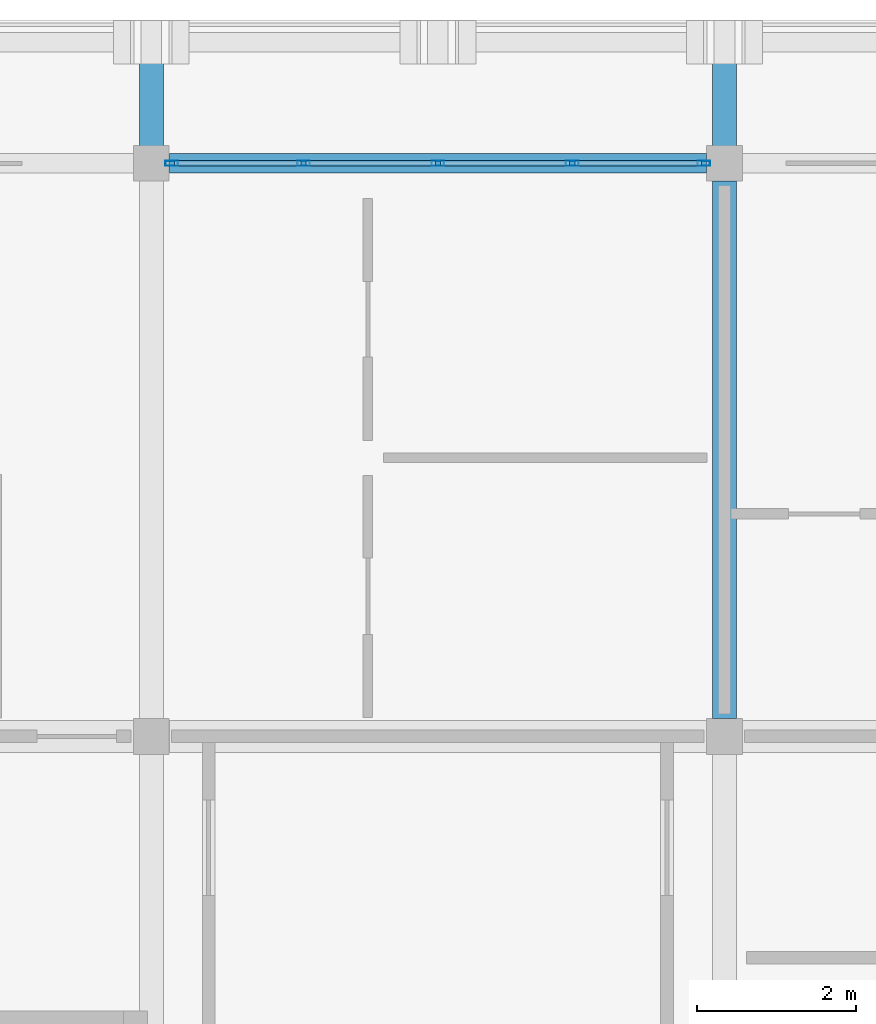
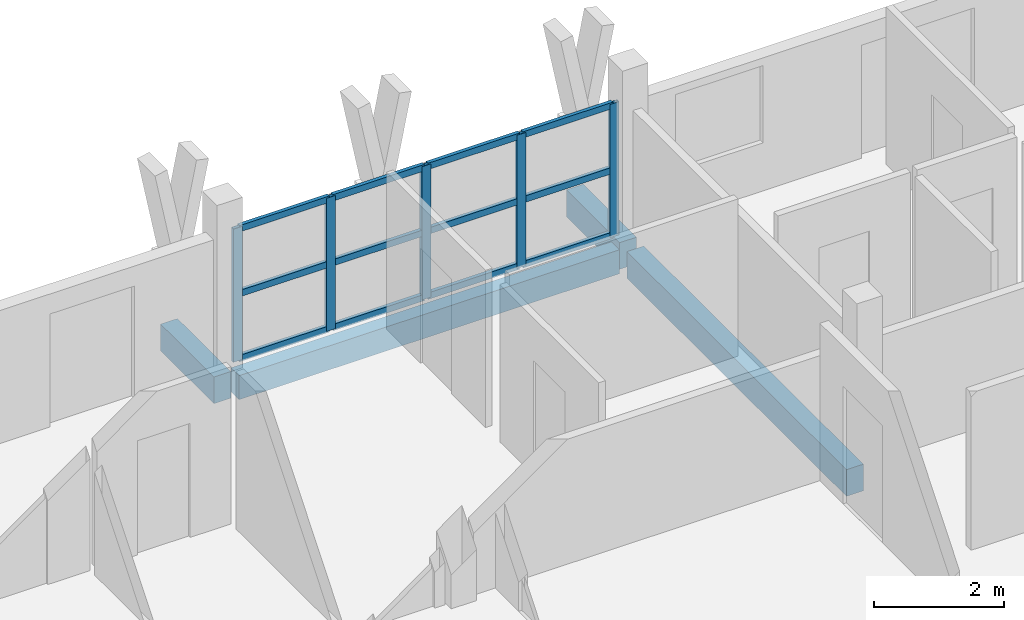
# One storey, part 9 of 32: 17 members, 4 beams, 1 element without a shape of its own.
"""IFC4 building model written with IfcOpenShell, lengths in metres."""

from ifc_helpers import new_model, si_unit, direction, frame, origin, origin_2d, place, context, subcontext, project, spatial, rectangle, hollow_rectangle, extrude, material, material_profile, profile_set, type_object, element, aggregate, save


model = new_model("IFC4")

# Units and contexts
model_context = context("Model", 3, precision=1e-05, world=origin(), true_north=direction((0.0, 1.0)))
body_context = subcontext(model_context, "Body", "Model", "MODEL_VIEW")
ifc_project = project(units=[si_unit("LENGTHUNIT", "METRE"), si_unit("AREAUNIT", "SQUARE_METRE"), si_unit("VOLUMEUNIT", "CUBIC_METRE"), si_unit("PLANEANGLEUNIT", "RADIAN"), si_unit("MASSUNIT", "GRAM", prefix="KILO")], contexts=[model_context])

# Site, building, storey
site_placement = place(None, origin())
site = spatial("IfcSite", under=ifc_project, at=site_placement, CompositionType="ELEMENT")
building_placement = place(site_placement, origin())
building = spatial("IfcBuilding", under=site, at=building_placement, Name="Suanplinth Sawtooth Commons", CompositionType="ELEMENT")
storey_placement = place(building_placement, frame((0.0, 0.0, 41.199951171875)))
storey = spatial("IfcBuildingStorey", under=building, at=storey_placement, Name="L12", CompositionType="ELEMENT", Elevation=41.199951171875)

# Beams
ifc_material_1 = material(Name="Precast concrete C40/50", Category="concrete")
ifc_material_profile_1 = material_profile(ifc_material_1, rectangle(XDim=0.300048828125, YDim=0.5, at=origin_2d()), Name="PC-BM 300x500")
ifc_profile_set_1 = profile_set([ifc_material_profile_1], Name="Precast concrete C40/50")
beam_type_1 = type_object("IfcBeamType", Name="B-07", PredefinedType="BEAM", material=ifc_profile_set_1)
beam_1_placement = place(storey_placement, frame((151.199951171875, 115.425048828125, -0.4599609375), z_axis=(0.0, 1.0, 0.0), x_axis=(-1.0, 0.0, 0.0)))
element("IfcBeam", 1, at=beam_1_placement, inside=storey, type_object=beam_type_1, Name="BMY-L12-B-21-16", PredefinedType="BEAM", context=body_context, shape_type="SweptSolid", body=[
    extrude(rectangle(XDim=0.300048828125, YDim=0.5, at=origin_2d()), origin(), (0.0, 0.0, 1.0), 6.75),
])
for number, where, z_axis, x_axis, name in (
    (2, (144.0, 122.39990234375, -0.429931640625), (0.0, 1.0, 0.0), (-1.0, 0.0, 0.0), "Balcony Outrigger L12-B-N-20"),
    (3, (151.199951171875, 122.39990234375, -0.429931640625), (0.0, 1.0, 0.0), (-1.0, 0.0, 0.0), "Balcony Outrigger L12-B-N-21"),
):
    element("IfcBeam", number, at=place(storey_placement, frame(where, z_axis=z_axis, x_axis=x_axis)), inside=storey, type_object=beam_type_1, Name=name, PredefinedType="BEAM", context=body_context, shape_type="SweptSolid", body=[
        extrude(rectangle(XDim=0.300048828125, YDim=0.5, at=origin_2d()), origin(), (0.0, 0.0, 1.0), 1.64013671875),
    ])
ifc_material_profile_2 = material_profile(ifc_material_1, rectangle(XDim=0.25, YDim=0.449951171875, at=origin_2d()), Name="PC-SP 250x450")
ifc_profile_set_2 = profile_set([ifc_material_profile_2], Name="Precast concrete C40/50")
beam_type_2 = type_object("IfcBeamType", Name="B-09", PredefinedType="SPANDREL", material=ifc_profile_set_2)
beam_2_placement = place(storey_placement, frame((144.22509765625, 122.39990234375, -0.43505859375), z_axis=(1.0, 0.0, 0.0), x_axis=(0.0, 1.0, 0.0)))
element("IfcBeam", 4, at=beam_2_placement, inside=storey, type_object=beam_type_2, Name="BMX-L12-B-20-17", PredefinedType="SPANDREL", context=body_context, shape_type="SweptSolid", body=[
    extrude(rectangle(XDim=0.25, YDim=0.449951171875, at=origin_2d()), origin(), (0.0, 0.0, 1.0), 6.75),
])

# Curtain wall, members
ifc_material_2 = material(Name="Anodized aluminium and low-E glazing", Category="aluminium")
curtain_wall_type = type_object("IfcCurtainWallType", Name="CW-06", PredefinedType="USERDEFINED", material=ifc_material_2)
curtain_wall_placement = place(storey_placement, origin())
curtain_wall = element("IfcCurtainWall", 5, at=curtain_wall_placement, inside=storey, type_object=curtain_wall_type, Name="Curtain Wall CW-L12-B-LOUNGE-20", ObjectType="CURTAIN WALL", PredefinedType="USERDEFINED")
ifc_material_3 = material(Name="Anodized aluminium 6063-T6", Category="aluminium")
ifc_material_profile_3 = material_profile(ifc_material_3, hollow_rectangle(XDim=0.06494140625, YDim=0.159912109375, WallThickness=0.00390625, at=origin_2d()), Name="ALU-MUL 65x160")
ifc_profile_set_3 = profile_set([ifc_material_profile_3], Name="Anodized aluminium 6063-T6")
member_type_1 = type_object("IfcMemberType", Name="M-13", PredefinedType="MULLION", material=ifc_profile_set_3)
member_1_placement = place(storey_placement, frame((144.257568359375, 122.39990234375, 0.0), z_axis=(0.0, 0.0, 1.0), x_axis=(0.0, 1.0, 0.0)))
member_1 = element("IfcMember", 6, at=member_1_placement, type_object=member_type_1, Name="CW-06 mullion 1", PredefinedType="MULLION", context=body_context, shape_type="SweptSolid", body=[
    extrude(hollow_rectangle(XDim=0.06494140625, YDim=0.159912109375, WallThickness=0.00390625, at=origin_2d()), origin(), (0.0, 0.0, 1.0), 2.5),
])
member_2_placement = place(storey_placement, frame((145.91259765625, 122.39990234375, 0.0), z_axis=(0.0, 0.0, 1.0), x_axis=(0.0, 1.0, 0.0)))
member_2 = element("IfcMember", 7, at=member_2_placement, type_object=member_type_1, Name="CW-06 mullion 2", PredefinedType="MULLION", context=body_context, shape_type="SweptSolid", body=[
    extrude(hollow_rectangle(XDim=0.06494140625, YDim=0.159912109375, WallThickness=0.00390625, at=origin_2d()), origin(), (0.0, 0.0, 1.0), 2.5),
])
member_3_placement = place(storey_placement, frame((147.60009765625, 122.39990234375, 0.0), z_axis=(0.0, 0.0, 1.0), x_axis=(0.0, 1.0, 0.0)))
member_3 = element("IfcMember", 8, at=member_3_placement, type_object=member_type_1, Name="CW-06 mullion 3", PredefinedType="MULLION", context=body_context, shape_type="SweptSolid", body=[
    extrude(hollow_rectangle(XDim=0.06494140625, YDim=0.159912109375, WallThickness=0.00390625, at=origin_2d()), origin(), (0.0, 0.0, 1.0), 2.5),
])
member_4_placement = place(storey_placement, frame((149.28759765625, 122.39990234375, 0.0), z_axis=(0.0, 0.0, 1.0), x_axis=(0.0, 1.0, 0.0)))
member_4 = element("IfcMember", 9, at=member_4_placement, type_object=member_type_1, Name="CW-06 mullion 4", PredefinedType="MULLION", context=body_context, shape_type="SweptSolid", body=[
    extrude(hollow_rectangle(XDim=0.06494140625, YDim=0.159912109375, WallThickness=0.00390625, at=origin_2d()), origin(), (0.0, 0.0, 1.0), 2.5),
])
member_5_placement = place(storey_placement, frame((150.9423828125, 122.39990234375, 0.0), z_axis=(0.0, 0.0, 1.0), x_axis=(0.0, 1.0, 0.0)))
member_5 = element("IfcMember", 10, at=member_5_placement, type_object=member_type_1, Name="CW-06 mullion 5", PredefinedType="MULLION", context=body_context, shape_type="SweptSolid", body=[
    extrude(hollow_rectangle(XDim=0.06494140625, YDim=0.159912109375, WallThickness=0.00390625, at=origin_2d()), origin(), (0.0, 0.0, 1.0), 2.5),
])
ifc_material_profile_4 = material_profile(ifc_material_3, hollow_rectangle(XDim=0.06494140625, YDim=0.1201171875, WallThickness=0.00390625, at=origin_2d()), Name="ALU-TRN 65x120")
ifc_profile_set_4 = profile_set([ifc_material_profile_4], Name="Anodized aluminium 6063-T6")
member_type_2 = type_object("IfcMemberType", Name="M-15", PredefinedType="USERDEFINED", material=ifc_profile_set_4)
member_6_placement = place(storey_placement, frame((144.2900390625, 122.39990234375, 0.032470703125), z_axis=(1.0, 0.0, 0.0), x_axis=(0.0, 1.0, 0.0)))
member_6 = element("IfcMember", 11, at=member_6_placement, type_object=member_type_2, Name="CW-06 transom 1.1", ObjectType="TRANSOM", PredefinedType="USERDEFINED", context=body_context, shape_type="SweptSolid", body=[
    extrude(hollow_rectangle(XDim=0.06494140625, YDim=0.1201171875, WallThickness=0.00390625, at=origin_2d()), origin(), (0.0, 0.0, 1.0), 1.58984375),
])
member_7_placement = place(storey_placement, frame((144.2900390625, 122.39990234375, 1.25), z_axis=(1.0, 0.0, 0.0), x_axis=(0.0, 1.0, 0.0)))
member_7 = element("IfcMember", 12, at=member_7_placement, type_object=member_type_2, Name="CW-06 transom 1.2", ObjectType="TRANSOM", PredefinedType="USERDEFINED", context=body_context, shape_type="SweptSolid", body=[
    extrude(hollow_rectangle(XDim=0.06494140625, YDim=0.1201171875, WallThickness=0.00390625, at=origin_2d()), origin(), (0.0, 0.0, 1.0), 1.58984375),
])
member_8_placement = place(storey_placement, frame((144.2900390625, 122.39990234375, 2.467529296875), z_axis=(1.0, 0.0, 0.0), x_axis=(0.0, 1.0, 0.0)))
member_8 = element("IfcMember", 13, at=member_8_placement, type_object=member_type_2, Name="CW-06 transom 1.3", ObjectType="TRANSOM", PredefinedType="USERDEFINED", context=body_context, shape_type="SweptSolid", body=[
    extrude(hollow_rectangle(XDim=0.06494140625, YDim=0.1201171875, WallThickness=0.00390625, at=origin_2d()), origin(), (0.0, 0.0, 1.0), 1.58984375),
])
member_9_placement = place(storey_placement, frame((145.945068359375, 122.39990234375, 0.032470703125), z_axis=(1.0, 0.0, 0.0), x_axis=(0.0, 1.0, 0.0)))
member_9 = element("IfcMember", 14, at=member_9_placement, type_object=member_type_2, Name="CW-06 transom 2.1", ObjectType="TRANSOM", PredefinedType="USERDEFINED", context=body_context, shape_type="SweptSolid", body=[
    extrude(hollow_rectangle(XDim=0.06494140625, YDim=0.1201171875, WallThickness=0.00390625, at=origin_2d()), origin(), (0.0, 0.0, 1.0), 1.622314453125),
])
member_10_placement = place(storey_placement, frame((145.945068359375, 122.39990234375, 1.25), z_axis=(1.0, 0.0, 0.0), x_axis=(0.0, 1.0, 0.0)))
member_10 = element("IfcMember", 15, at=member_10_placement, type_object=member_type_2, Name="CW-06 transom 2.2", ObjectType="TRANSOM", PredefinedType="USERDEFINED", context=body_context, shape_type="SweptSolid", body=[
    extrude(hollow_rectangle(XDim=0.06494140625, YDim=0.1201171875, WallThickness=0.00390625, at=origin_2d()), origin(), (0.0, 0.0, 1.0), 1.622314453125),
])
member_11_placement = place(storey_placement, frame((145.945068359375, 122.39990234375, 2.467529296875), z_axis=(1.0, 0.0, 0.0), x_axis=(0.0, 1.0, 0.0)))
member_11 = element("IfcMember", 16, at=member_11_placement, type_object=member_type_2, Name="CW-06 transom 2.3", ObjectType="TRANSOM", PredefinedType="USERDEFINED", context=body_context, shape_type="SweptSolid", body=[
    extrude(hollow_rectangle(XDim=0.06494140625, YDim=0.1201171875, WallThickness=0.00390625, at=origin_2d()), origin(), (0.0, 0.0, 1.0), 1.622314453125),
])
member_12_placement = place(storey_placement, frame((147.632568359375, 122.39990234375, 0.032470703125), z_axis=(1.0, 0.0, 0.0), x_axis=(0.0, 1.0, 0.0)))
member_12 = element("IfcMember", 17, at=member_12_placement, type_object=member_type_2, Name="CW-06 transom 3.1", ObjectType="TRANSOM", PredefinedType="USERDEFINED", context=body_context, shape_type="SweptSolid", body=[
    extrude(hollow_rectangle(XDim=0.06494140625, YDim=0.1201171875, WallThickness=0.00390625, at=origin_2d()), origin(), (0.0, 0.0, 1.0), 1.622314453125),
])
member_13_placement = place(storey_placement, frame((147.632568359375, 122.39990234375, 1.25), z_axis=(1.0, 0.0, 0.0), x_axis=(0.0, 1.0, 0.0)))
member_13 = element("IfcMember", 18, at=member_13_placement, type_object=member_type_2, Name="CW-06 transom 3.2", ObjectType="TRANSOM", PredefinedType="USERDEFINED", context=body_context, shape_type="SweptSolid", body=[
    extrude(hollow_rectangle(XDim=0.06494140625, YDim=0.1201171875, WallThickness=0.00390625, at=origin_2d()), origin(), (0.0, 0.0, 1.0), 1.622314453125),
])
member_14_placement = place(storey_placement, frame((147.632568359375, 122.39990234375, 2.467529296875), z_axis=(1.0, 0.0, 0.0), x_axis=(0.0, 1.0, 0.0)))
member_14 = element("IfcMember", 19, at=member_14_placement, type_object=member_type_2, Name="CW-06 transom 3.3", ObjectType="TRANSOM", PredefinedType="USERDEFINED", context=body_context, shape_type="SweptSolid", body=[
    extrude(hollow_rectangle(XDim=0.06494140625, YDim=0.1201171875, WallThickness=0.00390625, at=origin_2d()), origin(), (0.0, 0.0, 1.0), 1.622314453125),
])
member_15_placement = place(storey_placement, frame((149.320068359375, 122.39990234375, 0.032470703125), z_axis=(1.0, 0.0, 0.0), x_axis=(0.0, 1.0, 0.0)))
member_15 = element("IfcMember", 20, at=member_15_placement, type_object=member_type_2, Name="CW-06 transom 4.1", ObjectType="TRANSOM", PredefinedType="USERDEFINED", context=body_context, shape_type="SweptSolid", body=[
    extrude(hollow_rectangle(XDim=0.06494140625, YDim=0.1201171875, WallThickness=0.00390625, at=origin_2d()), origin(), (0.0, 0.0, 1.0), 1.58984375),
])
member_16_placement = place(storey_placement, frame((149.320068359375, 122.39990234375, 1.25), z_axis=(1.0, 0.0, 0.0), x_axis=(0.0, 1.0, 0.0)))
member_16 = element("IfcMember", 21, at=member_16_placement, type_object=member_type_2, Name="CW-06 transom 4.2", ObjectType="TRANSOM", PredefinedType="USERDEFINED", context=body_context, shape_type="SweptSolid", body=[
    extrude(hollow_rectangle(XDim=0.06494140625, YDim=0.1201171875, WallThickness=0.00390625, at=origin_2d()), origin(), (0.0, 0.0, 1.0), 1.58984375),
])
member_17_placement = place(storey_placement, frame((149.320068359375, 122.39990234375, 2.467529296875), z_axis=(1.0, 0.0, 0.0), x_axis=(0.0, 1.0, 0.0)))
member_17 = element("IfcMember", 22, at=member_17_placement, type_object=member_type_2, Name="CW-06 transom 4.3", ObjectType="TRANSOM", PredefinedType="USERDEFINED", context=body_context, shape_type="SweptSolid", body=[
    extrude(hollow_rectangle(XDim=0.06494140625, YDim=0.1201171875, WallThickness=0.00390625, at=origin_2d()), origin(), (0.0, 0.0, 1.0), 1.58984375),
])
aggregate(curtain_wall, [member_1, member_2, member_3, member_4, member_5, member_6, member_7, member_8, member_9, member_10, member_11, member_12, member_13, member_14, member_15, member_16, member_17])

save(model, "model.ifc")
